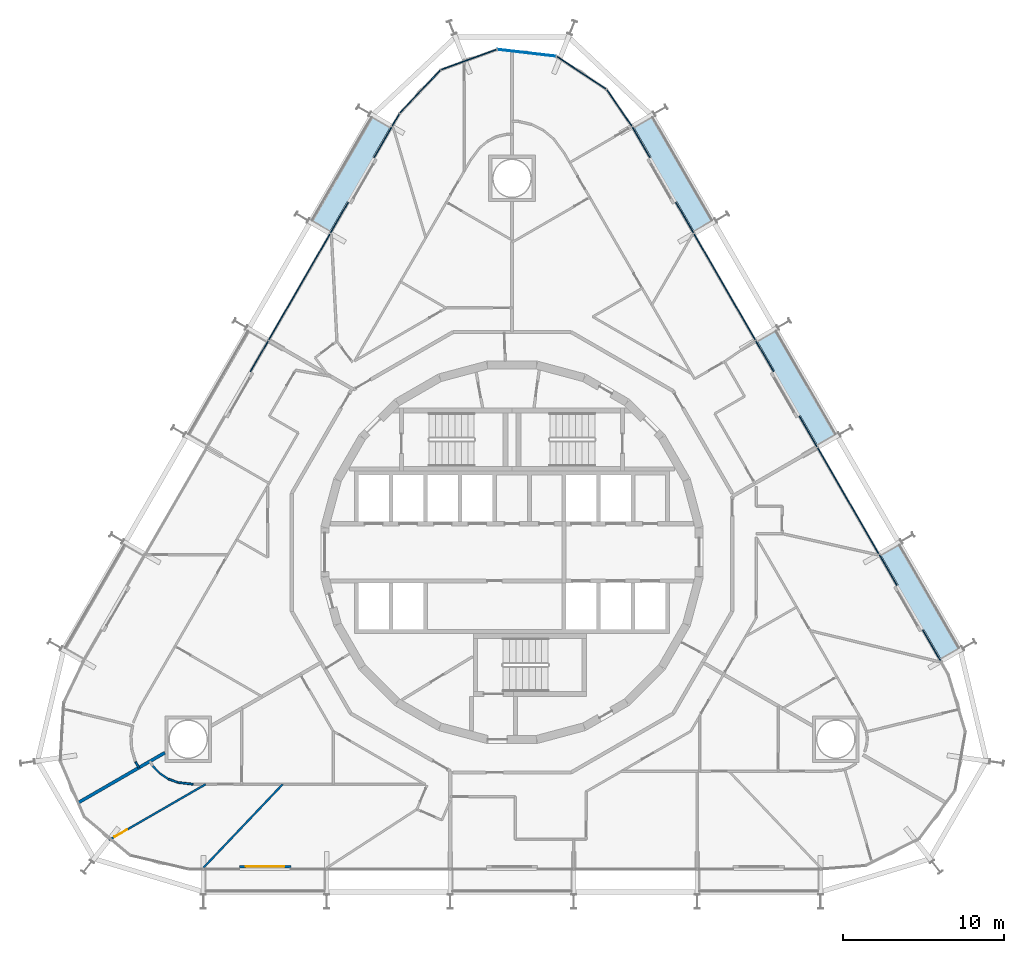
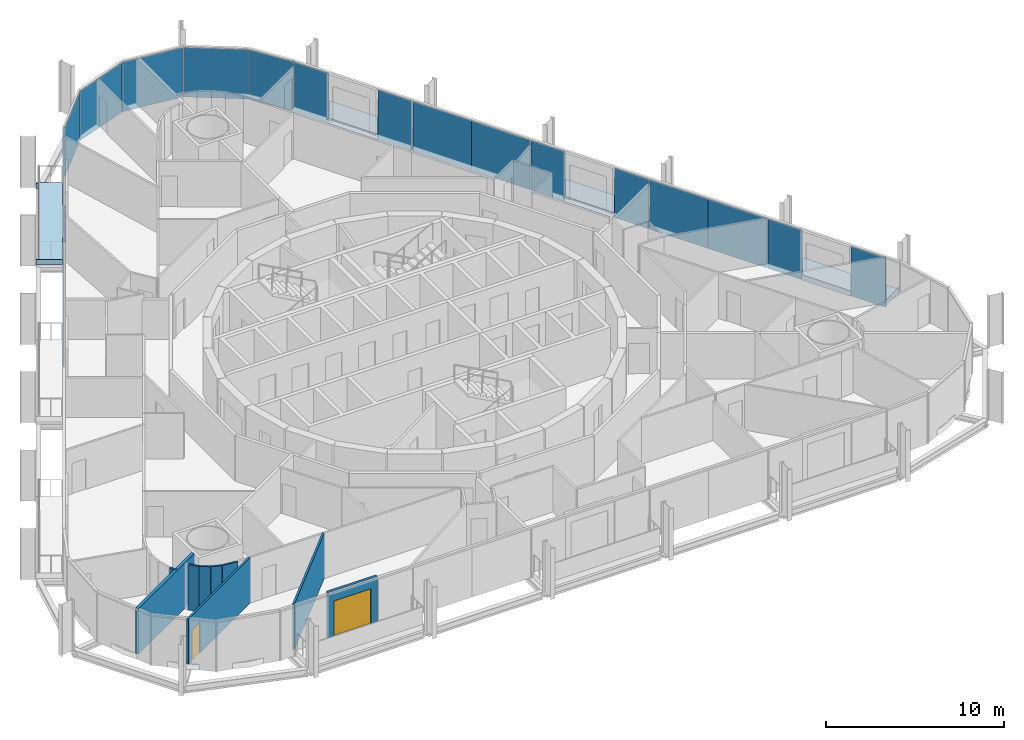
# One storey, part 12 of 21: 21 plates, 9 walls, 4 slabs, 2 doors, 2 openings, 3 elements without a shape of their own.
"""IFC4 building model written with IfcOpenShell, lengths in metres."""

from ifc_helpers import new_model, si_unit, direction, frame, frame_2d, origin, origin_2d, place, context, subcontext, project, spatial, polyline, rectangle, outline, extrude, material, layer, layer_set, type_object, element, fill, aggregate, save


model = new_model("IFC4")

# Units and contexts
model_context = context("Model", 3, precision=1e-05, world=origin(), true_north=direction((0.0, 1.0)))
body_context = subcontext(model_context, "Body", "Model", "MODEL_VIEW")
ifc_project = project(units=[si_unit("LENGTHUNIT", "METRE"), si_unit("AREAUNIT", "SQUARE_METRE"), si_unit("VOLUMEUNIT", "CUBIC_METRE"), si_unit("PLANEANGLEUNIT", "RADIAN"), si_unit("MASSUNIT", "GRAM", prefix="KILO")], contexts=[model_context])

# Site, building, storey
site_placement = place(None, origin())
site = spatial("IfcSite", under=ifc_project, at=site_placement, CompositionType="ELEMENT")
building_placement = place(site_placement, origin())
building = spatial("IfcBuilding", under=site, at=building_placement, Name="Spindle Arch Residences", CompositionType="ELEMENT")
storey_placement = place(building_placement, frame((0.0, 0.0, 55.89990234375)))
storey = spatial("IfcBuildingStorey", under=building, at=storey_placement, Name="L12", CompositionType="ELEMENT", Elevation=55.89990234375)

# Slabs
ifc_material_1 = material(Name="Concrete C40/50", Category="concrete")
ifc_layer_1 = layer(ifc_material_1, 0.3798828125)
ifc_layer_set_1 = layer_set([ifc_layer_1], Name="Balcony slab 380")
slab_type = type_object("IfcSlabType", Name="Balcony slab 380", PredefinedType="FLOOR", material=ifc_layer_set_1)
slab_1_placement = place(storey_placement, frame((0.0, 0.0, -0.3798828125)))
element("IfcSlab", 1, at=slab_1_placement, inside=storey, type_object=slab_type, Name="Balcony L12 bay 6", PredefinedType="FLOOR", context=body_context, shape_type="SweptSolid", body=[
    extrude(outline(polyline([(27.991455078125, -5.9228515625), (27.9541015625, -5.85791015625), (27.82421875, -5.93310546875), (24.134033203125, 0.458251953125), (24.263916015625, 0.533447265625), (24.2265625, 0.598388671875), (22.93603515625, -0.146728515625), (24.0185546875, -2.021728515625), (23.880126953125, -2.1015625), (25.47998046875, -4.873046875), (25.61865234375, -4.79296875), (26.701171875, -6.66796875), (27.991455078125, -5.9228515625)])), origin(), (0.0, 0.0, 1.0), 0.3798828125),
])
slab_2_placement = place(storey_placement, frame((0.0, 0.0, -0.3798828125)))
element("IfcSlab", 2, at=slab_2_placement, inside=storey, type_object=slab_type, Name="Balcony L12 bay 8", PredefinedType="FLOOR", context=body_context, shape_type="SweptSolid", body=[
    extrude(outline(polyline([(20.3115234375, 7.37939453125), (20.27392578125, 7.4443359375), (20.14404296875, 7.369384765625), (16.4541015625, 13.760498046875), (16.583984375, 13.835693359375), (16.54638671875, 13.900634765625), (15.256103515625, 13.155517578125), (16.338623046875, 11.280517578125), (16.199951171875, 11.20068359375), (17.800048828125, 8.42919921875), (17.9384765625, 8.50927734375), (19.02099609375, 6.63427734375), (20.3115234375, 7.37939453125)])), origin(), (0.0, 0.0, 1.0), 0.3798828125),
])
slab_3_placement = place(storey_placement, frame((0.0, 0.0, -0.3798828125)))
element("IfcSlab", 3, at=slab_3_placement, inside=storey, type_object=slab_type, Name="Balcony L12 bay 10", PredefinedType="FLOOR", context=body_context, shape_type="SweptSolid", body=[
    extrude(outline(polyline([(12.63134765625, 20.681640625), (12.593994140625, 20.74658203125), (12.4638671875, 20.671630859375), (8.77392578125, 27.06298828125), (8.90380859375, 27.137939453125), (8.866455078125, 27.202880859375), (7.575927734375, 26.457763671875), (8.658447265625, 24.582763671875), (8.52001953125, 24.5029296875), (10.119873046875, 21.731689453125), (10.258544921875, 21.8115234375), (11.341064453125, 19.9365234375), (12.63134765625, 20.681640625)])), origin(), (0.0, 0.0, 1.0), 0.3798828125),
])
slab_4_placement = place(storey_placement, frame((0.0, 0.0, -0.3798828125)))
element("IfcSlab", 4, at=slab_4_placement, inside=storey, type_object=slab_type, Name="Balcony L12 bay 14", PredefinedType="FLOOR", context=body_context, shape_type="SweptSolid", body=[
    extrude(outline(polyline([(-8.866455078125, 27.202880859375), (-8.90380859375, 27.137939453125), (-8.77392578125, 27.06298828125), (-12.4638671875, 20.671630859375), (-12.593994140625, 20.74658203125), (-12.63134765625, 20.681640625), (-11.341064453125, 19.9365234375), (-10.258544921875, 21.8115234375), (-10.119873046875, 21.731689453125), (-8.52001953125, 24.5029296875), (-8.658447265625, 24.582763671875), (-7.575927734375, 26.457763671875), (-8.866455078125, 27.202880859375)])), origin(), (0.0, 0.0, 1.0), 0.3798828125),
])

# Curtain wall, plates
ifc_material_2 = material(Name="Aluminium bronze unitised frame with tinted glass", Category="aluminium")
ifc_layer_2 = layer(ifc_material_2, 0.159912109375)
ifc_layer_set_2 = layer_set([ifc_layer_2], Name="CW-C typical residential unitised wall")
curtain_wall_type_1 = type_object("IfcCurtainWallType", Name="CW-C typical residential unitised wall", PredefinedType="NOTDEFINED", material=ifc_layer_set_2)
curtain_wall_1_placement = place(storey_placement, origin())
curtain_wall_1 = element("IfcCurtainWall", 5, at=curtain_wall_1_placement, inside=storey, type_object=curtain_wall_type_1, Name="CW-C L12 run 2", PredefinedType="NOTDEFINED")
ifc_material_3 = material(Name="Tinted double glazing over aluminium faced non-combustible spandrel zone (K0)", Category="aluminium")
ifc_layer_3 = layer(ifc_material_3, 0.06005859375)
ifc_layer_set_3 = layer_set([ifc_layer_3], Name="Unitised glass panel with E 60 spandrel zone")
plate_type = type_object("IfcPlateType", Name="Unitised glass panel with E 60 spandrel zone", PredefinedType="CURTAIN_PANEL", material=ifc_layer_set_3)
plate_1_placement = place(storey_placement, frame((26.101806640625, -5.7900390625, -0.3798828125), z_axis=(0.0, 0.0, 1.0), x_axis=(-0.5, 0.866025403784, 0.0)))
plate_1 = element("IfcPlate", 6, at=plate_1_placement, type_object=plate_type, Name="CW-C unit 05L", PredefinedType="CURTAIN_PANEL", context=body_context, shape_type="SweptSolid", body=[
    extrude(rectangle(XDim=2.2099609375, YDim=0.06005859375, at=origin_2d()), origin(), (0.0, 0.0, 1.0), 3.3798828125),
])
plate_2_placement = place(storey_placement, frame((23.396728515625, -1.104736328125, -0.3798828125), z_axis=(0.0, 0.0, 1.0), x_axis=(-0.5, 0.866025403784, 0.0)))
plate_2 = element("IfcPlate", 7, at=plate_2_placement, type_object=plate_type, Name="CW-C unit 05R", PredefinedType="CURTAIN_PANEL", context=body_context, shape_type="SweptSolid", body=[
    extrude(rectangle(XDim=2.2099609375, YDim=0.06005859375, at=origin_2d()), origin(), (0.0, 0.0, 1.0), 3.3798828125),
])
plate_3_placement = place(storey_placement, frame((21.86181640625, 1.553955078125, -0.3798828125), z_axis=(0.0, 0.0, 1.0), x_axis=(-0.5, 0.866025403784, 0.0)))
plate_3 = element("IfcPlate", 8, at=plate_3_placement, type_object=plate_type, Name="CW-C unit 06A", PredefinedType="CURTAIN_PANEL", context=body_context, shape_type="SweptSolid", body=[
    extrude(rectangle(XDim=3.81005859375, YDim=0.06005859375, at=origin_2d()), origin(), (0.0, 0.0, 1.0), 3.3798828125),
])
plate_4_placement = place(storey_placement, frame((19.956787109375, 4.853515625, -0.3798828125), z_axis=(0.0, 0.0, 1.0), x_axis=(-0.5, 0.866025403784, 0.0)))
plate_4 = element("IfcPlate", 9, at=plate_4_placement, type_object=plate_type, Name="CW-C unit 06B", PredefinedType="CURTAIN_PANEL", context=body_context, shape_type="SweptSolid", body=[
    extrude(rectangle(XDim=3.81005859375, YDim=0.06005859375, at=origin_2d()), origin(), (0.0, 0.0, 1.0), 3.3798828125),
])
plate_5_placement = place(storey_placement, frame((18.421875, 7.512451171875, -0.3798828125), z_axis=(0.0, 0.0, 1.0), x_axis=(-0.5, 0.866025403784, 0.0)))
plate_5 = element("IfcPlate", 10, at=plate_5_placement, type_object=plate_type, Name="CW-C unit 07L", PredefinedType="CURTAIN_PANEL", context=body_context, shape_type="SweptSolid", body=[
    extrude(rectangle(XDim=2.2099609375, YDim=0.06005859375, at=origin_2d()), origin(), (0.0, 0.0, 1.0), 3.3798828125),
])
plate_6_placement = place(storey_placement, frame((15.716796875, 12.197509765625, -0.3798828125), z_axis=(0.0, 0.0, 1.0), x_axis=(-0.5, 0.866025403784, 0.0)))
plate_6 = element("IfcPlate", 11, at=plate_6_placement, type_object=plate_type, Name="CW-C unit 07R", PredefinedType="CURTAIN_PANEL", context=body_context, shape_type="SweptSolid", body=[
    extrude(rectangle(XDim=2.2099609375, YDim=0.06005859375, at=origin_2d()), origin(), (0.0, 0.0, 1.0), 3.3798828125),
])
plate_7_placement = place(storey_placement, frame((14.181640625, 14.856201171875, -0.3798828125), z_axis=(0.0, 0.0, 1.0), x_axis=(-0.5, 0.866025403784, 0.0)))
plate_7 = element("IfcPlate", 12, at=plate_7_placement, type_object=plate_type, Name="CW-C unit 08A", PredefinedType="CURTAIN_PANEL", context=body_context, shape_type="SweptSolid", body=[
    extrude(rectangle(XDim=3.81005859375, YDim=0.06005859375, at=origin_2d()), origin(), (0.0, 0.0, 1.0), 3.3798828125),
])
plate_8_placement = place(storey_placement, frame((12.27685546875, 18.156005859375, -0.3798828125), z_axis=(0.0, 0.0, 1.0), x_axis=(-0.5, 0.866025403784, 0.0)))
plate_8 = element("IfcPlate", 13, at=plate_8_placement, type_object=plate_type, Name="CW-C unit 08B", PredefinedType="CURTAIN_PANEL", context=body_context, shape_type="SweptSolid", body=[
    extrude(rectangle(XDim=3.81005859375, YDim=0.06005859375, at=origin_2d()), origin(), (0.0, 0.0, 1.0), 3.3798828125),
])
plate_9_placement = place(storey_placement, frame((10.74169921875, 20.814697265625, -0.3798828125), z_axis=(0.0, 0.0, 1.0), x_axis=(-0.5, 0.866025403784, 0.0)))
plate_9 = element("IfcPlate", 14, at=plate_9_placement, type_object=plate_type, Name="CW-C unit 09L", PredefinedType="CURTAIN_PANEL", context=body_context, shape_type="SweptSolid", body=[
    extrude(rectangle(XDim=2.2099609375, YDim=0.06005859375, at=origin_2d()), origin(), (0.0, 0.0, 1.0), 3.3798828125),
])
plate_10_placement = place(storey_placement, frame((8.03662109375, 25.499755859375, -0.3798828125), z_axis=(0.0, 0.0, 1.0), x_axis=(-0.5, 0.866025403784, 0.0)))
plate_10 = element("IfcPlate", 15, at=plate_10_placement, type_object=plate_type, Name="CW-C unit 09R", PredefinedType="CURTAIN_PANEL", context=body_context, shape_type="SweptSolid", body=[
    extrude(rectangle(XDim=2.2099609375, YDim=0.06005859375, at=origin_2d()), origin(), (0.0, 0.0, 1.0), 3.3798828125),
])
aggregate(curtain_wall_1, [plate_1, plate_2, plate_3, plate_4, plate_5, plate_6, plate_7, plate_8, plate_9, plate_10])

ifc_material_4 = material(Name="Aluminium bronze unitised frame with tinted glass", Category="aluminium")
ifc_layer_4 = layer(ifc_material_4, 0.159912109375)
ifc_layer_set_4 = layer_set([ifc_layer_4], Name="CW-D corner wall on the fillet arcs")
curtain_wall_type_2 = type_object("IfcCurtainWallType", Name="CW-D corner wall on the fillet arcs", PredefinedType="NOTDEFINED", material=ifc_layer_set_4)
curtain_wall_2_placement = place(storey_placement, origin())
curtain_wall_2 = element("IfcCurtainWall", 16, at=curtain_wall_2_placement, inside=storey, type_object=curtain_wall_type_2, Name="CW-D L12 run 3", PredefinedType="NOTDEFINED")
plate_11_placement = place(storey_placement, frame((6.673095703125, 27.643798828125, -0.3798828125), z_axis=(0.0, 0.0, 1.0), x_axis=(-0.565500718711, 0.824747802142, 0.0)))
plate_11 = element("IfcPlate", 17, at=plate_11_placement, type_object=plate_type, Name="CW-D unit 00", PredefinedType="CURTAIN_PANEL", context=body_context, shape_type="SweptSolid", body=[
    extrude(rectangle(XDim=2.755126953125, YDim=0.06005859375, at=origin_2d()), origin(), (0.0, 0.0, 1.0), 3.3798828125),
])
plate_12_placement = place(storey_placement, frame((4.3203125, 29.82861328125, -0.3798828125), z_axis=(0.0, 0.0, 1.0), x_axis=(-0.835487811704, 0.549508977628, 0.0)))
plate_12 = element("IfcPlate", 18, at=plate_12_placement, type_object=plate_type, Name="CW-D unit 01", PredefinedType="CURTAIN_PANEL", context=body_context, shape_type="SweptSolid", body=[
    extrude(rectangle(XDim=3.666748046875, YDim=0.06005859375, at=origin_2d()), origin(), (0.0, 0.0, 1.0), 3.3798828125),
])
plate_13_placement = place(storey_placement, frame((0.912841796875, 31.06884765625, -0.3798828125), z_axis=(0.0, 0.0, 1.0), x_axis=(-0.993238357591, 0.116092915414, 0.0)))
plate_13 = element("IfcPlate", 19, at=plate_13_placement, type_object=plate_type, Name="CW-D unit 02", PredefinedType="CURTAIN_PANEL", context=body_context, shape_type="SweptSolid", body=[
    extrude(rectangle(XDim=3.666748046875, YDim=0.06005859375, at=origin_2d()), origin(), (0.0, 0.0, 1.0), 3.3798828125),
])
plate_14_placement = place(storey_placement, frame((-2.68896484375, 30.64794921875, -0.3798828125), z_axis=(0.0, 0.0, 1.0), x_axis=(-0.939692621437, -0.342020141538, 0.0)))
plate_14 = element("IfcPlate", 20, at=plate_14_placement, type_object=plate_type, Name="CW-D unit 03", PredefinedType="CURTAIN_PANEL", context=body_context, shape_type="SweptSolid", body=[
    extrude(rectangle(XDim=3.666748046875, YDim=0.06005859375, at=origin_2d()), origin(), (0.0, 0.0, 1.0), 3.3798828125),
])
plate_15_placement = place(storey_placement, frame((-5.71875, 28.6552734375, -0.3798828125), z_axis=(0.0, 0.0, 1.0), x_axis=(-0.686241639236, -0.727373640284, 0.0)))
plate_15 = element("IfcPlate", 21, at=plate_15_placement, type_object=plate_type, Name="CW-D unit 04", PredefinedType="CURTAIN_PANEL", context=body_context, shape_type="SweptSolid", body=[
    extrude(rectangle(XDim=3.666748046875, YDim=0.06005859375, at=origin_2d()), origin(), (0.0, 0.0, 1.0), 3.3798828125),
])
plate_16_placement = place(storey_placement, frame((-7.2333984375, 26.891357421875, -0.3798828125), z_axis=(0.0, 0.0, 1.0), x_axis=(-0.5, -0.866025403784, 0.0)))
plate_16 = element("IfcPlate", 22, at=plate_16_placement, type_object=plate_type, Name="CW-D unit 05", PredefinedType="CURTAIN_PANEL", context=body_context, shape_type="SweptSolid", body=[
    extrude(rectangle(XDim=0.88330078125, YDim=0.06005859375, at=origin_2d()), origin(), (0.0, 0.0, 1.0), 3.3798828125),
])
aggregate(curtain_wall_2, [plate_11, plate_12, plate_13, plate_14, plate_15, plate_16])

curtain_wall_3_placement = place(storey_placement, origin())
curtain_wall_3 = element("IfcCurtainWall", 23, at=curtain_wall_3_placement, inside=storey, type_object=curtain_wall_type_1, Name="CW-C L12 run 4", PredefinedType="NOTDEFINED")
plate_17_placement = place(storey_placement, frame((-8.03662109375, 25.499755859375, -0.3798828125), z_axis=(0.0, 0.0, 1.0), x_axis=(-0.5, -0.866025403784, 0.0)))
plate_17 = element("IfcPlate", 24, at=plate_17_placement, type_object=plate_type, Name="CW-C unit 13L", PredefinedType="CURTAIN_PANEL", context=body_context, shape_type="SweptSolid", body=[
    extrude(rectangle(XDim=2.2099609375, YDim=0.06005859375, at=origin_2d()), origin(), (0.0, 0.0, 1.0), 3.3798828125),
])
plate_18_placement = place(storey_placement, frame((-10.74169921875, 20.814697265625, -0.3798828125), z_axis=(0.0, 0.0, 1.0), x_axis=(-0.5, -0.866025403784, 0.0)))
plate_18 = element("IfcPlate", 25, at=plate_18_placement, type_object=plate_type, Name="CW-C unit 13R", PredefinedType="CURTAIN_PANEL", context=body_context, shape_type="SweptSolid", body=[
    extrude(rectangle(XDim=2.2099609375, YDim=0.06005859375, at=origin_2d()), origin(), (0.0, 0.0, 1.0), 3.3798828125),
])
plate_19_placement = place(storey_placement, frame((-12.27685546875, 18.156005859375, -0.3798828125), z_axis=(0.0, 0.0, 1.0), x_axis=(-0.5, -0.866025403784, 0.0)))
plate_19 = element("IfcPlate", 26, at=plate_19_placement, type_object=plate_type, Name="CW-C unit 14A", PredefinedType="CURTAIN_PANEL", context=body_context, shape_type="SweptSolid", body=[
    extrude(rectangle(XDim=3.81005859375, YDim=0.06005859375, at=origin_2d()), origin(), (0.0, 0.0, 1.0), 3.3798828125),
])
plate_20_placement = place(storey_placement, frame((-14.181640625, 14.856201171875, -0.3798828125), z_axis=(0.0, 0.0, 1.0), x_axis=(-0.5, -0.866025403784, 0.0)))
plate_20 = element("IfcPlate", 27, at=plate_20_placement, type_object=plate_type, Name="CW-C unit 14B", PredefinedType="CURTAIN_PANEL", context=body_context, shape_type="SweptSolid", body=[
    extrude(rectangle(XDim=3.81005859375, YDim=0.06005859375, at=origin_2d()), origin(), (0.0, 0.0, 1.0), 3.3798828125),
])
plate_21_placement = place(storey_placement, frame((-15.716796875, 12.197509765625, -0.3798828125), z_axis=(0.0, 0.0, 1.0), x_axis=(-0.5, -0.866025403784, 0.0)))
plate_21 = element("IfcPlate", 28, at=plate_21_placement, type_object=plate_type, Name="CW-C unit 15L", PredefinedType="CURTAIN_PANEL", context=body_context, shape_type="SweptSolid", body=[
    extrude(rectangle(XDim=2.2099609375, YDim=0.06005859375, at=origin_2d()), origin(), (0.0, 0.0, 1.0), 3.3798828125),
])
aggregate(curtain_wall_3, [plate_17, plate_18, plate_19, plate_20, plate_21])

# Walls
ifc_material_5 = material(Name="Plasterboard on steel studs", Category="steel")
ifc_layer_5 = layer(ifc_material_5, 0.1201171875)
ifc_layer_set_5 = layer_set([ifc_layer_5], Name="Flat partition 120")
wall_type_1 = type_object("IfcWallType", Name="Flat partition 120", PredefinedType="PARTITIONING", material=ifc_layer_set_5)
wall_1_placement = place(storey_placement, frame((-23.421630859375, -13.0439453125, 0.0), z_axis=(0.0, 0.0, 1.0), x_axis=(0.50013037474, -0.865950118807, 0.0)))
element("IfcWall", 29, at=wall_1_placement, inside=storey, type_object=wall_type_1, Name="Flat partition R1B1-W077", PredefinedType="PARTITIONING", context=body_context, shape_type="SweptSolid", body=[
    extrude(rectangle(XDim=0.41455078125, YDim=0.1201171875, at=frame_2d((0.207275390625, 0.0))), origin(), (0.0, 0.0, 1.0), 3.1201171875),
])
wall_2_placement = place(storey_placement, frame((-19.8408203125, -14.429931640625, 0.0), z_axis=(0.0, 0.0, 1.0), x_axis=(-0.993245320107, 0.116033331788, 0.0)))
element("IfcWall", 30, at=wall_2_placement, inside=storey, type_object=wall_type_1, Name="Flat partition R1B1-W084", PredefinedType="PARTITIONING", context=body_context, shape_type="SweptSolid", body=[
    extrude(rectangle(XDim=0.94677734375, YDim=0.1201171875, at=frame_2d((0.473388671875, 0.0))), origin(), (0.0, 0.0, 1.0), 3.1201171875),
])
for number, where, z_axis, x_axis, name in (
    (31, (-20.78125, -14.320068359375, 0.0), (0.0, 0.0, 1.0), (-0.939737891858, 0.341895736455, 0.0), "Flat partition R1B1-W085"),
    (32, (-21.384521484375, -14.1005859375, 0.0), (0.0, 0.0, 1.0), (-0.835371114389, 0.549686366253, 0.0), "Flat partition R1B1-W086"),
    (33, (-21.920654296875, -13.747802734375, 0.0), (0.0, 0.0, 1.0), (-0.686265997785, 0.727350658406, 0.0), "Flat partition R1B1-W087"),
):
    element("IfcWall", number, at=place(storey_placement, frame(where, z_axis=z_axis, x_axis=x_axis)), inside=storey, type_object=wall_type_1, Name=name, PredefinedType="PARTITIONING", context=body_context, shape_type="SweptSolid", body=[
        extrude(rectangle(XDim=0.641845703125, YDim=0.1201171875, at=frame_2d((0.32080078125, 0.0))), origin(), (0.0, 0.0, 1.0), 3.1201171875),
    ])

# Wall, opening, door
wall_3_placement = place(storey_placement, frame((-25.068359375, -17.9013671875, 0.0), z_axis=(0.0, 0.0, 1.0), x_axis=(0.866025136247, 0.500000463387, 0.0)))
wall_3 = element("IfcWall", 34, at=wall_3_placement, inside=storey, type_object=wall_type_1, Name="Flat partition R1B1-W089", PredefinedType="PARTITIONING", context=body_context, shape_type="SweptSolid", body=[
    extrude(rectangle(XDim=6.94287109375, YDim=0.1201171875, at=frame_2d((3.471435546875, 0.0))), origin(), (0.0, 0.0, 1.0), 3.1201171875),
])
opening_1_placement = place(wall_3_placement, frame((0.39990234375, 0.0, 0.0)))
opening_1 = element("IfcOpeningElement", 35, at=opening_1_placement, cuts=wall_3, Name="Opening R1B1-ID23", PredefinedType="OPENING", context=body_context, shape_type="SweptSolid", body=[
    extrude(rectangle(XDim=0.89990234375, YDim=2.10009765625, at=frame_2d((0.449951171875, 1.050048828125))), frame((0.0, 0.070068359375, 0.0), z_axis=(0.0, -1.0, 0.0), x_axis=(1.0, 0.0, 0.0)), (0.0, 0.0, 1.0), 0.14013671875),
])
ifc_material_6 = material(Name="Timber door set", Category="wood")
door_type_1 = type_object("IfcDoorType", Name="Room door 900x2100", OperationType="NOTDEFINED", PredefinedType="DOOR", material=ifc_material_6)
door_1_placement = place(opening_1_placement, origin())
door_1 = element("IfcDoor", 36, at=door_1_placement, inside=storey, type_object=door_type_1, Name="Room door R1B1-ID23", OperationType="SINGLE_SWING_LEFT", OverallHeight=2.10009765625, OverallWidth=0.89990234375, PredefinedType="DOOR", context=body_context, shape_type="SweptSolid", body=[
    extrude(rectangle(XDim=0.89990234375, YDim=2.10009765625, at=frame_2d((0.449951171875, 1.050048828125))), frame((0.0, 0.02490234375, 0.0), z_axis=(0.0, -1.0, 0.0), x_axis=(1.0, 0.0, 0.0)), (0.0, 0.0, 1.0), 0.050048828125),
])
fill(opening_1, door_1)

# Walls
wall_4_placement = place(storey_placement, frame((-19.2001953125, -19.6298828125, 0.0), z_axis=(0.0, 0.0, 1.0), x_axis=(0.688551680792, 0.72518727435, 0.0)))
element("IfcWall", 37, at=wall_4_placement, inside=storey, type_object=wall_type_1, Name="Flat partition R1B1-W092", PredefinedType="PARTITIONING", context=body_context, shape_type="SweptSolid", body=[
    extrude(rectangle(XDim=7.17041015625, YDim=0.1201171875, at=frame_2d((3.585205078125, 0.0))), origin(), (0.0, 0.0, 1.0), 3.1201171875),
])
ifc_material_7 = material(Name="Calcium silicate block, plastered")
ifc_layer_6 = layer(ifc_material_7, 0.199951171875)
ifc_layer_set_6 = layer_set([ifc_layer_6], Name="Flat party wall 200")
wall_type_2 = type_object("IfcWallType", Name="Flat party wall 200", PredefinedType="STANDARD", material=ifc_layer_set_6)
wall_5_placement = place(storey_placement, frame((-27.02490234375, -15.602783203125, 0.0), z_axis=(0.0, 0.0, 1.0), x_axis=(0.866030653443, 0.499990907215, 0.0)))
element("IfcWall", 38, at=wall_5_placement, inside=storey, type_object=wall_type_2, Name="Flat party wall R1B1-W023", PredefinedType="STANDARD", context=body_context, shape_type="SweptSolid", body=[
    extrude(rectangle(XDim=6.271484375, YDim=0.199951171875, at=frame_2d((3.1357421875, 0.0))), origin(), (0.0, 0.0, 1.0), 3.1201171875),
])

# Wall, opening, door
ifc_material_8 = material(Name="Non-combustible mineral wool insulated aluminium faced external wall (K0)", Category="aluminium")
ifc_layer_7 = layer(ifc_material_8, 0.159912109375)
ifc_layer_set_7 = layer_set([ifc_layer_7], Name="Insulated external wall panel 160")
wall_type_3 = type_object("IfcWallType", Name="Insulated external wall panel 160", PredefinedType="STANDARD", material=ifc_layer_set_7)
wall_6_placement = place(storey_placement, frame((-16.960205078125, -19.5498046875, 0.0), z_axis=(0.0, 0.0, 1.0), x_axis=(1.0, 0.0, 0.0)))
wall_6 = element("IfcWall", 39, at=wall_6_placement, inside=storey, type_object=wall_type_3, Name="External wall L12 bay 22", PredefinedType="STANDARD", context=body_context, shape_type="SweptSolid", body=[
    extrude(rectangle(XDim=3.199951171875, YDim=0.159912109375, at=frame_2d((1.60009765625, 0.0))), origin(), (0.0, 0.0, 1.0), 3.1201171875),
])
opening_2_placement = place(wall_6_placement, frame((0.39990234375, 0.0, 0.0)))
opening_2 = element("IfcOpeningElement", 40, at=opening_2_placement, cuts=wall_6, Name="Opening BD22", PredefinedType="OPENING", context=body_context, shape_type="SweptSolid", body=[
    extrude(rectangle(XDim=2.39990234375, YDim=2.39990234375, at=frame_2d((1.199951171875, 1.199951171875))), frame((0.0, 0.08984375, 0.0), z_axis=(0.0, -1.0, 0.0), x_axis=(1.0, 0.0, 0.0)), (0.0, 0.0, 1.0), 0.179931640625),
])
ifc_material_9 = material(Name="Bronze aluminium frame, tinted double glazing", Category="aluminium")
door_type_2 = type_object("IfcDoorType", Name="Sliding glazed balcony door 2400x2400", OperationType="DOUBLE_DOOR_SLIDING", PredefinedType="DOOR", material=ifc_material_9)
door_2_placement = place(opening_2_placement, origin())
door_2 = element("IfcDoor", 41, at=door_2_placement, inside=storey, type_object=door_type_2, Name="Balcony door BD22", OperationType="DOUBLE_DOOR_SLIDING", OverallHeight=2.39990234375, OverallWidth=2.39990234375, PredefinedType="DOOR", context=body_context, shape_type="SweptSolid", body=[
    extrude(rectangle(XDim=2.39990234375, YDim=2.39990234375, at=frame_2d((1.199951171875, 1.199951171875))), frame((0.0, 0.02490234375, 0.0), z_axis=(0.0, -1.0, 0.0), x_axis=(1.0, 0.0, 0.0)), (0.0, 0.0, 1.0), 0.050048828125),
])
fill(opening_2, door_2)

save(model, "model.ifc")
